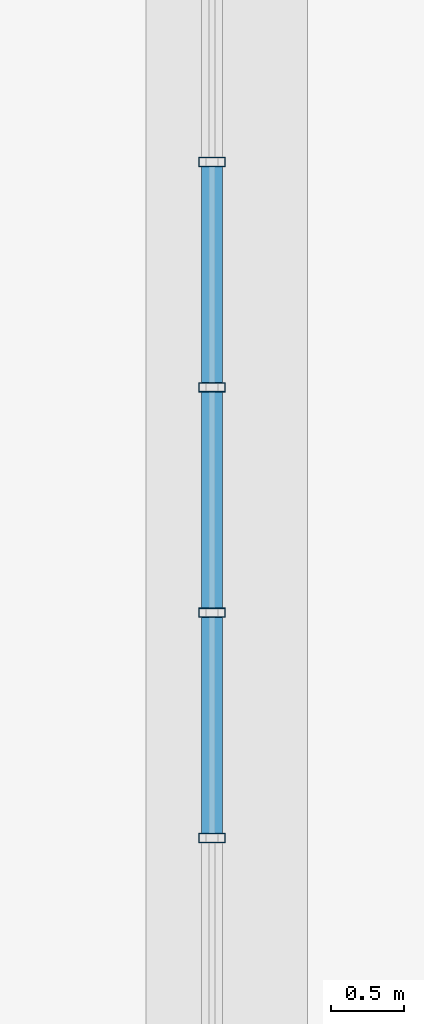
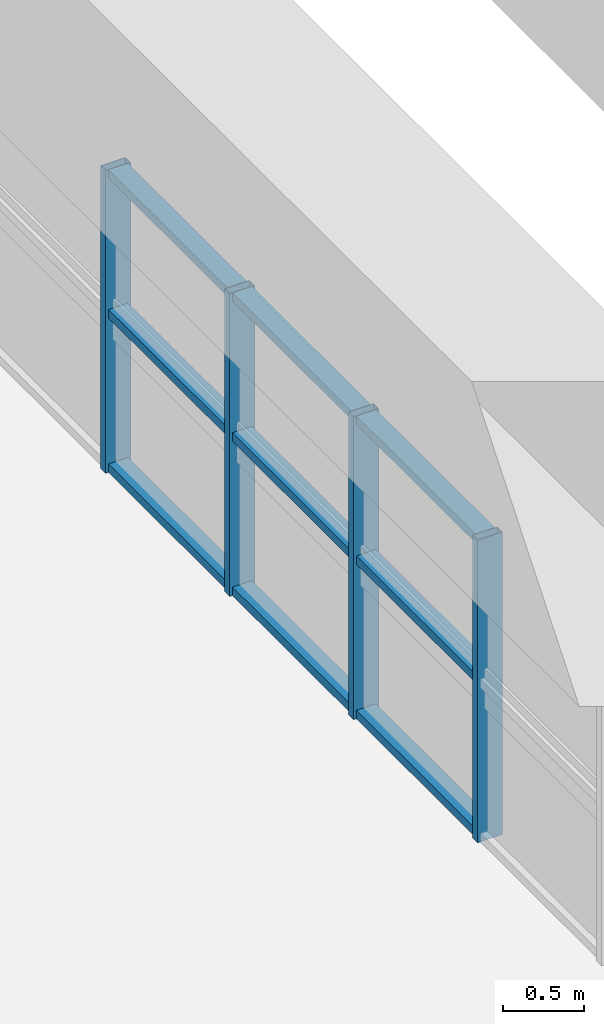
# One storey, part 17 of 35: 13 members, 1 element without a shape of its own.
"""IFC4 building model written with IfcOpenShell, lengths in metres."""

import ifcopenshell
import ifcopenshell.guid

model = None  # the IFC model being written
_history = None  # IfcOwnerHistory: only IFC2X3 demands one
_inside = {}  # id of a spatial element -> (the spatial element, [elements in it])
_under = {}  # id of a project, library or spatial element -> (it, [spatial elements below it])
_declared = {}  # id of a project -> (the project, [libraries it declares])
_typed = {}  # id of a type object -> (the type object, [elements of that type])
_made_of = {}  # id of a material, layer set ... -> (it, [elements and type objects made of it])


def new_model(schema):
    """Start an empty IFC model of exactly this schema.

    Asked for "IFC4X3", IfcOpenShell would pick the latest addendum, in which some entities
    have other attributes; the version numbers below select the first issue.
    IFC2X3 requires an IfcOwnerHistory on every rooted entity: one is made here for all.
    """
    global model, _history
    if schema == "IFC4X3":
        model = ifcopenshell.file(schema_version=(4, 3, 0, 0))
    else:
        model = ifcopenshell.file(schema=schema)
    _inside.clear()
    _under.clear()
    _declared.clear()
    _typed.clear()
    _made_of.clear()
    _history = None
    if model.schema == "IFC2X3":
        org = make("IfcOrganization", Name="unknown")
        user = make(
            "IfcPersonAndOrganization",
            ThePerson=make("IfcPerson", FamilyName="unknown"),
            TheOrganization=org,
        )
        app = make(
            "IfcApplication",
            ApplicationDeveloper=org,
            Version="unknown",
            ApplicationFullName="unknown",
            ApplicationIdentifier="unknown",
        )
        _history = make(
            "IfcOwnerHistory",
            OwningUser=user,
            OwningApplication=app,
            ChangeAction="ADDED",
            CreationDate=0,
        )
    return model


def make(cls, **values):
    """One entity of the class cls with the attributes given. An attribute that is None is left unset."""
    return model.create_entity(
        cls, **{name: value for name, value in values.items() if value is not None}
    )


def rooted(cls, **values):
    """An entity with a GlobalId (a new one), such as an element, a storey or a relation."""
    return make(cls, GlobalId=ifcopenshell.guid.new(), OwnerHistory=_history, **values)


def si_unit(unit_type, name, prefix=None):
    """IfcSIUnit, for example si_unit("LENGTHUNIT", "METRE", prefix="MILLI")."""
    return make("IfcSIUnit", UnitType=unit_type, Prefix=prefix, Name=name)


def assignment(units):
    """IfcUnitAssignment: the units of a project."""
    return None if units is None else make("IfcUnitAssignment", Units=units)


def point(xyz):
    """IfcCartesianPoint."""
    return None if xyz is None else make("IfcCartesianPoint", Coordinates=xyz)


def direction(xyz):
    """IfcDirection."""
    return None if xyz is None else make("IfcDirection", DirectionRatios=xyz)


def frame(location, z_axis=None, x_axis=None):
    """IfcAxis2Placement3D, a coordinate frame: its origin and axes. An axis left out is left unset."""
    return make(
        "IfcAxis2Placement3D",
        Location=point(location),
        Axis=direction(z_axis),
        RefDirection=direction(x_axis),
    )


def frame_2d(location, x_axis=None):
    """IfcAxis2Placement2D, a coordinate frame in the plane: its origin and x axis."""
    return make(
        "IfcAxis2Placement2D", Location=point(location), RefDirection=direction(x_axis)
    )


def origin():
    """The frame at (0, 0, 0) with its axes left unset."""
    return frame((0.0, 0.0, 0.0))


def origin_2d():
    """The frame at (0, 0) in the plane with its x axis left unset."""
    return frame_2d((0.0, 0.0))


def place(relative_to, where):
    """IfcLocalPlacement: puts the frame where relative to a parent placement (None: the world)."""
    return make(
        "IfcLocalPlacement", PlacementRelTo=relative_to, RelativePlacement=where
    )


def context(
    kind, dimensions, precision=None, world=None, true_north=None, identifier=None
):
    """IfcGeometricRepresentationContext, for example the 3D "Model" context."""
    return make(
        "IfcGeometricRepresentationContext",
        ContextIdentifier=identifier,
        ContextType=kind,
        CoordinateSpaceDimension=dimensions,
        Precision=precision,
        WorldCoordinateSystem=world,
        TrueNorth=true_north,
    )


def subcontext(parent, identifier, kind, view, scale=None):
    """IfcGeometricRepresentationSubContext, for example "Body" below "Model"."""
    return make(
        "IfcGeometricRepresentationSubContext",
        ContextIdentifier=identifier,
        ContextType=kind,
        ParentContext=parent,
        TargetScale=scale,
        TargetView=view,
    )


def project(units=None, contexts=None):
    """IfcProject with its units and contexts."""
    return rooted(
        "IfcProject",
        Name="project",
        RepresentationContexts=contexts,
        UnitsInContext=assignment(units),
    )


def spatial(cls, under=None, at=None, **own):
    """A site, building, storey or space (cls), placed at a placement, below another one or the project."""
    s = rooted(cls, ObjectPlacement=at, **own)
    if under is not None:
        _under.setdefault(under.id(), (under, []))[1].append(s)
    return s


def profile(cls, at=None, kind="AREA", **sizes):
    """A parametric profile (cls). Its sizes go by their IFC names, for example OverallWidth=200.0."""
    return make(cls, ProfileType=kind, Position=at, **sizes)


def hollow_rectangle(**sizes):
    """IfcRectangleHollowProfileDef."""
    return profile("IfcRectangleHollowProfileDef", **sizes)


def extrude(swept, where, along, depth):
    """IfcExtrudedAreaSolid: the profile swept, set in the frame where, extruded along a direction by depth."""
    return make(
        "IfcExtrudedAreaSolid",
        SweptArea=swept,
        Position=where,
        ExtrudedDirection=direction(along),
        Depth=depth,
    )


def shape(context_of_items, identifier, shape_type, items):
    """IfcShapeRepresentation: the items that make up one representation, for example the "Body"."""
    return make(
        "IfcShapeRepresentation",
        ContextOfItems=context_of_items,
        RepresentationIdentifier=identifier,
        RepresentationType=shape_type,
        Items=items,
    )


def source(mapping_origin, context_of_items, identifier, shape_type, items):
    """IfcRepresentationMap: a shape defined once, which mapped items show again and again."""
    return make(
        "IfcRepresentationMap",
        MappingOrigin=mapping_origin,
        MappedRepresentation=shape(context_of_items, identifier, shape_type, items),
    )


def transform(
    local_origin,
    x_axis=None,
    y_axis=None,
    z_axis=None,
    scale=None,
    scale2=None,
    scale3=None,
    uniform=True,
):
    """IfcCartesianTransformationOperator3D, or its non-uniform kind. x_axis, y_axis, z_axis: its Axis1, 2, 3."""
    if uniform:
        return make(
            "IfcCartesianTransformationOperator3D",
            Axis1=direction(x_axis),
            Axis2=direction(y_axis),
            LocalOrigin=point(local_origin),
            Scale=scale,
            Axis3=direction(z_axis),
        )
    return make(
        "IfcCartesianTransformationOperator3DnonUniform",
        Axis1=direction(x_axis),
        Axis2=direction(y_axis),
        LocalOrigin=point(local_origin),
        Scale=scale,
        Axis3=direction(z_axis),
        Scale2=scale2,
        Scale3=scale3,
    )


def mapped(mapping_source, mapping_target):
    """IfcMappedItem: shows the shape of a source again, moved by a transform."""
    return make(
        "IfcMappedItem", MappingSource=mapping_source, MappingTarget=mapping_target
    )


def material(Name=None, Category=None):
    """IfcMaterial."""
    return make("IfcMaterial", Name=Name, Category=Category)


def layer(
    of_material, thickness, ventilated=None, Name=None, Category=None, Priority=None
):
    """IfcMaterialLayer: one layer of a wall or slab, of a material (None: an air gap)."""
    return make(
        "IfcMaterialLayer",
        Material=of_material,
        LayerThickness=thickness,
        IsVentilated=ventilated,
        Name=Name,
        Category=Category,
        Priority=Priority,
    )


def layer_set(layers, Name=None):
    """IfcMaterialLayerSet."""
    return make("IfcMaterialLayerSet", MaterialLayers=layers, LayerSetName=Name)


def material_profile(
    of_material, cross_section, Name=None, Category=None, Priority=None
):
    """IfcMaterialProfile: a cross section and its material."""
    return make(
        "IfcMaterialProfile",
        Name=Name,
        Material=of_material,
        Profile=cross_section,
        Priority=Priority,
        Category=Category,
    )


def profile_set(profiles, Name=None, composite=None):
    """IfcMaterialProfileSet."""
    return make(
        "IfcMaterialProfileSet",
        Name=Name,
        MaterialProfiles=profiles,
        CompositeProfile=composite,
    )


def made_of(thing, what):
    """Note that an element or type object is made of a material, layer set ...; save() writes the relation."""
    if what is not None:
        _made_of.setdefault(what.id(), (what, []))[1].append(thing)
    return thing


def type_object(cls, material=None, **own):
    """A type object (cls), such as IfcWallType, which elements share."""
    return made_of(rooted(cls, **own), material)


def element(
    cls,
    number,
    at=None,
    inside=None,
    cuts=None,
    type_object=None,
    material=None,
    context=None,
    identifier="Body",
    shape_type=None,
    held_by="IfcProductDefinitionShape",
    body=None,
    shapes=None,
    **own,
):
    """One element of the class cls, such as IfcWall. Its Tag is "e" and its number.

    at: its placement. inside: the storey or other place that contains it. cuts: it is an
    opening in that element (IfcRelVoidsElement). A single representation is given by context,
    identifier, shape_type and body (its items); several are given by shapes. held_by: the class
    of the entity that holds the representations. save() writes the other relations.
    """
    e = rooted(cls, Tag="e%d" % number, ObjectPlacement=at, **own)
    if body is not None:
        shapes = [shape(context, identifier, shape_type, body)]
    if shapes is not None:
        e.Representation = make(held_by, Representations=shapes)
    if inside is not None:
        _inside.setdefault(inside.id(), (inside, []))[1].append(e)
    if cuts is not None:
        rooted(
            "IfcRelVoidsElement", RelatingBuildingElement=cuts, RelatedOpeningElement=e
        )
    if type_object is not None:
        _typed.setdefault(type_object.id(), (type_object, []))[1].append(e)
    return made_of(e, material)


def aggregate(whole, parts):
    """IfcRelAggregates: a whole, such as a stair, and the parts it consists of."""
    return rooted("IfcRelAggregates", RelatingObject=whole, RelatedObjects=parts)


def save(model, path):
    """Write the relations noted so far, then the file.

    IfcRelAggregates (storeys below a building ...), IfcRelContainedInSpatialStructure (elements
    in a storey), IfcRelDefinesByType, IfcRelAssociatesMaterial and IfcRelDeclares: one each for
    every whole, place, type object, material and project.
    """
    for whole, parts in _under.values():
        aggregate(whole, parts)
    for where, things in _inside.values():
        rooted(
            "IfcRelContainedInSpatialStructure",
            RelatedElements=things,
            RelatingStructure=where,
        )
    for kind, things in _typed.values():
        rooted("IfcRelDefinesByType", RelatedObjects=things, RelatingType=kind)
    for what, things in _made_of.values():
        rooted("IfcRelAssociatesMaterial", RelatedObjects=things, RelatingMaterial=what)
    for by, libraries in _declared.values():
        rooted("IfcRelDeclares", RelatingContext=by, RelatedDefinitions=libraries)
    model.write(path)


model = new_model("IFC4")

# Units and contexts
model_context = context("Model", 3, precision=1e-05, world=origin(), true_north=direction((0.0, 1.0)))
body_context = subcontext(model_context, "Body", "Model", "MODEL_VIEW")
ifc_project = project(units=[si_unit("LENGTHUNIT", "METRE"), si_unit("AREAUNIT", "SQUARE_METRE"), si_unit("VOLUMEUNIT", "CUBIC_METRE"), si_unit("PLANEANGLEUNIT", "RADIAN"), si_unit("MASSUNIT", "GRAM", prefix="KILO")], contexts=[model_context])

# Site, building, storey
site_placement = place(None, origin())
site = spatial("IfcSite", under=ifc_project, at=site_placement, CompositionType="ELEMENT")
building_placement = place(site_placement, origin())
building = spatial("IfcBuilding", under=site, at=building_placement, Name="Saelheon Loggia Tower", CompositionType="ELEMENT")
storey_placement = place(building_placement, frame((0.0, 0.0, 144.75)))
storey = spatial("IfcBuildingStorey", under=building, at=storey_placement, Name="L46", CompositionType="ELEMENT", Elevation=144.75)

# Curtain wall, members
ifc_material_1 = material(Name="Anodised Aluminium Acoustic Louvre Curtain Wall", Category="aluminium")
ifc_layer = layer(ifc_material_1, 0.179931640625)
ifc_layer_set = layer_set([ifc_layer], Name="Anodised Aluminium Acoustic Louvre Curtain Wall")
curtain_wall_type = type_object("IfcCurtainWallType", Name="CW_RefugeAcoustic", PredefinedType="NOTDEFINED", material=ifc_layer_set)
curtain_wall_placement = place(storey_placement, origin())
curtain_wall = element("IfcCurtainWall", 1, at=curtain_wall_placement, inside=storey, type_object=curtain_wall_type, Name="L46 E Refuge Acoustic Curtain Wall 2", PredefinedType="NOTDEFINED")
ifc_material_2 = material(Name="Anodised Aluminium 6063-T6", Category="aluminium")
ifc_material_profile_1 = material_profile(ifc_material_2, hollow_rectangle(XDim=0.06494140625, YDim=0.179931640625, WallThickness=0.00390625, at=origin_2d()), Name="RHS-180x65x4")
ifc_profile_set_1 = profile_set([ifc_material_profile_1], Name="Anodised Aluminium 6063-T6")
member_type_1 = type_object("IfcMemberType", Name="CW_RefugeAcoustic_Mullion", PredefinedType="MULLION", material=ifc_profile_set_1)
shared_shape_1 = source(origin(), body_context, "Body", "SweptSolid", [
    extrude(hollow_rectangle(XDim=0.06494140625, YDim=0.179931640625, WallThickness=0.00390625, at=origin_2d()), origin(), (0.0, 0.0, 1.0), 2.2900390625),
])
member_1_placement = place(storey_placement, frame((63.89990234375, 27.76806640625, 0.0), z_axis=(0.0, 0.0, 1.0), x_axis=(0.0, 1.0, 0.0)))
member_1 = element("IfcMember", 2, at=member_1_placement, type_object=member_type_1, Name="CW5 mullion 7", PredefinedType="MULLION", context=body_context, shape_type="MappedRepresentation", body=[
    mapped(shared_shape_1, transform((0.0, 0.0, 0.0), scale=1.0)),
])
member_2_placement = place(storey_placement, frame((63.89990234375, 29.304443359375, 0.0), z_axis=(0.0, 0.0, 1.0), x_axis=(0.0, 1.0, 0.0)))
member_2 = element("IfcMember", 3, at=member_2_placement, type_object=member_type_1, Name="CW5 mullion 8", PredefinedType="MULLION", context=body_context, shape_type="MappedRepresentation", body=[
    mapped(shared_shape_1, transform((0.0, 0.0, 0.0), scale=1.0)),
])
member_3_placement = place(storey_placement, frame((63.89990234375, 30.8408203125, 0.0), z_axis=(0.0, 0.0, 1.0), x_axis=(0.0, 1.0, 0.0)))
member_3 = element("IfcMember", 4, at=member_3_placement, type_object=member_type_1, Name="CW5 mullion 9", PredefinedType="MULLION", context=body_context, shape_type="MappedRepresentation", body=[
    mapped(shared_shape_1, transform((0.0, 0.0, 0.0), scale=1.0)),
])
member_4_placement = place(storey_placement, frame((63.89990234375, 32.377197265625, 0.0), z_axis=(0.0, 0.0, 1.0), x_axis=(0.0, 1.0, 0.0)))
member_4 = element("IfcMember", 5, at=member_4_placement, type_object=member_type_1, Name="CW5 mullion 10", PredefinedType="MULLION", context=body_context, shape_type="MappedRepresentation", body=[
    mapped(shared_shape_1, transform((0.0, 0.0, 0.0), scale=1.0)),
])
ifc_material_profile_2 = material_profile(ifc_material_2, hollow_rectangle(XDim=0.06494140625, YDim=0.139892578125, WallThickness=0.00390625, at=origin_2d()), Name="RHS-140x65x4")
ifc_profile_set_2 = profile_set([ifc_material_profile_2], Name="Anodised Aluminium 6063-T6")
member_type_2 = type_object("IfcMemberType", Name="CW_RefugeAcoustic_Transom", PredefinedType="USERDEFINED", material=ifc_profile_set_2)
shared_shape_2 = source(origin(), body_context, "Body", "SweptSolid", [
    extrude(hollow_rectangle(XDim=0.06494140625, YDim=0.139892578125, WallThickness=0.00390625, at=origin_2d()), origin(), (0.0, 0.0, 1.0), 1.471435546875),
])
member_5_placement = place(storey_placement, frame((63.89990234375, 30.873291015625, 0.032470703125), z_axis=(0.0, 1.0, 0.0), x_axis=(0.0, 0.0, 1.0)))
member_5 = element("IfcMember", 6, at=member_5_placement, type_object=member_type_2, Name="CW5 transom 9.1", ObjectType="TRANSOM", PredefinedType="USERDEFINED", context=body_context, shape_type="MappedRepresentation", body=[
    mapped(shared_shape_2, transform((0.0, 0.0, 0.0), scale=1.0)),
])
member_6_placement = place(storey_placement, frame((63.89990234375, 30.873291015625, 1.199951171875), z_axis=(0.0, 1.0, 0.0), x_axis=(0.0, 0.0, 1.0)))
member_6 = element("IfcMember", 7, at=member_6_placement, type_object=member_type_2, Name="CW5 transom 9.2", ObjectType="TRANSOM", PredefinedType="USERDEFINED", context=body_context, shape_type="MappedRepresentation", body=[
    mapped(shared_shape_2, transform((0.0, 0.0, 0.0), scale=1.0)),
])
member_7_placement = place(storey_placement, frame((63.89990234375, 30.873291015625, 2.257568359375), z_axis=(0.0, 1.0, 0.0), x_axis=(0.0, 0.0, 1.0)))
member_7 = element("IfcMember", 8, at=member_7_placement, type_object=member_type_2, Name="CW5 transom 9.3", ObjectType="TRANSOM", PredefinedType="USERDEFINED", context=body_context, shape_type="MappedRepresentation", body=[
    mapped(shared_shape_2, transform((0.0, 0.0, 0.0), scale=1.0)),
])
shared_shape_3 = source(origin(), body_context, "Body", "SweptSolid", [
    extrude(hollow_rectangle(XDim=0.06494140625, YDim=0.139892578125, WallThickness=0.00390625, at=origin_2d()), origin(), (0.0, 0.0, 1.0), 1.47119140625),
])
member_8_placement = place(storey_placement, frame((63.89990234375, 27.80078125, 0.032470703125), z_axis=(0.0, 1.0, 0.0), x_axis=(0.0, 0.0, 1.0)))
member_8 = element("IfcMember", 9, at=member_8_placement, type_object=member_type_2, Name="CW5 transom 7.1", ObjectType="TRANSOM", PredefinedType="USERDEFINED", context=body_context, shape_type="MappedRepresentation", body=[
    mapped(shared_shape_3, transform((0.0, 0.0, 0.0), scale=1.0)),
])
member_9_placement = place(storey_placement, frame((63.89990234375, 27.80078125, 1.199951171875), z_axis=(0.0, 1.0, 0.0), x_axis=(0.0, 0.0, 1.0)))
member_9 = element("IfcMember", 10, at=member_9_placement, type_object=member_type_2, Name="CW5 transom 7.2", ObjectType="TRANSOM", PredefinedType="USERDEFINED", context=body_context, shape_type="MappedRepresentation", body=[
    mapped(shared_shape_3, transform((0.0, 0.0, 0.0), scale=1.0)),
])
member_10_placement = place(storey_placement, frame((63.89990234375, 27.80078125, 2.257568359375), z_axis=(0.0, 1.0, 0.0), x_axis=(0.0, 0.0, 1.0)))
member_10 = element("IfcMember", 11, at=member_10_placement, type_object=member_type_2, Name="CW5 transom 7.3", ObjectType="TRANSOM", PredefinedType="USERDEFINED", context=body_context, shape_type="MappedRepresentation", body=[
    mapped(shared_shape_3, transform((0.0, 0.0, 0.0), scale=1.0)),
])
member_11_placement = place(storey_placement, frame((63.89990234375, 29.337158203125, 0.032470703125), z_axis=(0.0, 1.0, 0.0), x_axis=(0.0, 0.0, 1.0)))
member_11 = element("IfcMember", 12, at=member_11_placement, type_object=member_type_2, Name="CW5 transom 8.1", ObjectType="TRANSOM", PredefinedType="USERDEFINED", context=body_context, shape_type="MappedRepresentation", body=[
    mapped(shared_shape_3, transform((0.0, 0.0, 0.0), scale=1.0)),
])
member_12_placement = place(storey_placement, frame((63.89990234375, 29.337158203125, 1.199951171875), z_axis=(0.0, 1.0, 0.0), x_axis=(0.0, 0.0, 1.0)))
member_12 = element("IfcMember", 13, at=member_12_placement, type_object=member_type_2, Name="CW5 transom 8.2", ObjectType="TRANSOM", PredefinedType="USERDEFINED", context=body_context, shape_type="MappedRepresentation", body=[
    mapped(shared_shape_3, transform((0.0, 0.0, 0.0), scale=1.0)),
])
member_13_placement = place(storey_placement, frame((63.89990234375, 29.337158203125, 2.257568359375), z_axis=(0.0, 1.0, 0.0), x_axis=(0.0, 0.0, 1.0)))
member_13 = element("IfcMember", 14, at=member_13_placement, type_object=member_type_2, Name="CW5 transom 8.3", ObjectType="TRANSOM", PredefinedType="USERDEFINED", context=body_context, shape_type="MappedRepresentation", body=[
    mapped(shared_shape_3, transform((0.0, 0.0, 0.0), scale=1.0)),
])
aggregate(curtain_wall, [member_1, member_2, member_3, member_4, member_8, member_9, member_10, member_11, member_12, member_13, member_5, member_6, member_7])

save(model, "model.ifc")
